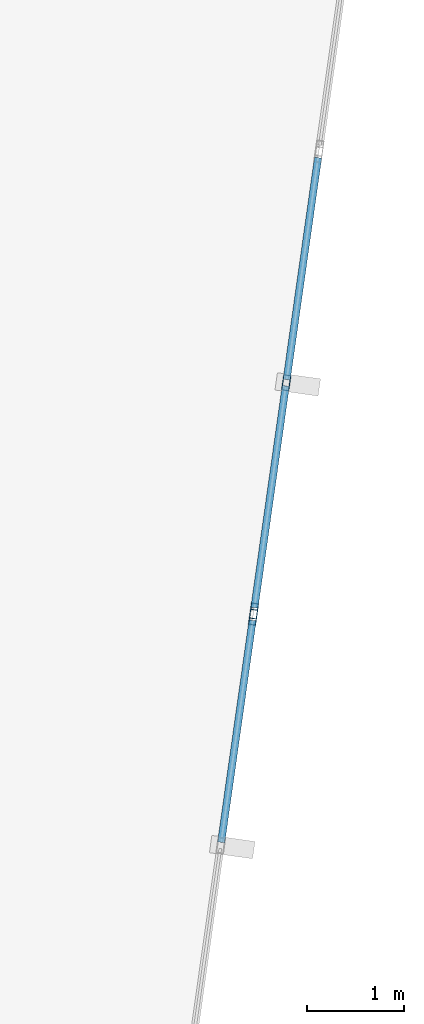
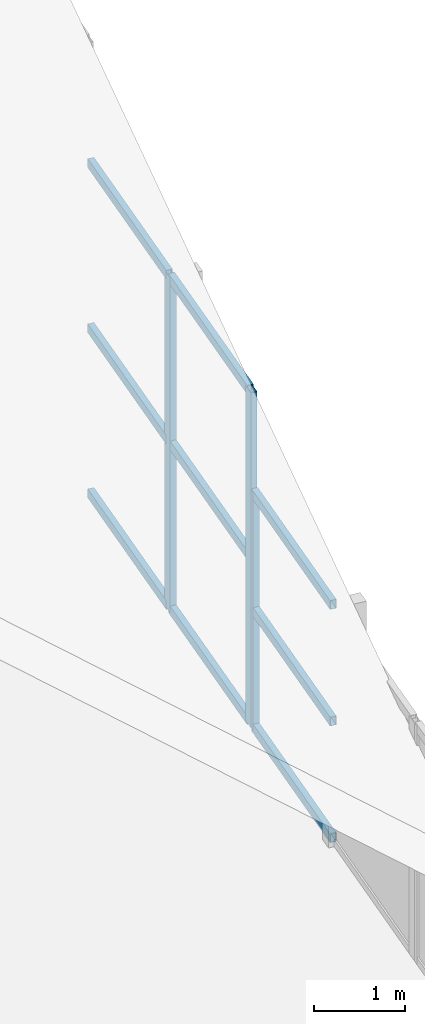
# One storey, part 21 of 74: 12 members, 2 elements without a shape of their own.
"""IFC4 building model written with IfcOpenShell, lengths in metres."""

from ifc_helpers import new_model, si_unit, direction, frame, origin, origin_2d, place, context, subcontext, project, spatial, hollow_rectangle, extrude, material, layer, layer_set, material_profile, profile_set, type_object, element, aggregate, save


model = new_model("IFC4")

# Units and contexts
model_context = context("Model", 3, precision=1e-05, world=origin(), true_north=direction((0.0, 1.0)))
body_context = subcontext(model_context, "Body", "Model", "MODEL_VIEW")
ifc_project = project(units=[si_unit("LENGTHUNIT", "METRE"), si_unit("AREAUNIT", "SQUARE_METRE"), si_unit("VOLUMEUNIT", "CUBIC_METRE"), si_unit("PLANEANGLEUNIT", "RADIAN"), si_unit("MASSUNIT", "GRAM", prefix="KILO")], contexts=[model_context])

# Site, building, storey
site_placement = place(None, origin())
site = spatial("IfcSite", under=ifc_project, at=site_placement, CompositionType="ELEMENT")
building_placement = place(site_placement, origin())
building = spatial("IfcBuilding", under=site, at=building_placement, Name="Keshet Zoharim Tower", CompositionType="ELEMENT")
storey_placement = place(building_placement, frame((0.0, 0.0, 320.0)))
storey = spatial("IfcBuildingStorey", under=building, at=storey_placement, Name="RF", CompositionType="ELEMENT", Elevation=320.0)

# Curtain wall, members
ifc_material = material(Name="Aluminium 6063-T6", Category="aluminium")
ifc_layer = layer(ifc_material, 0.260009765625)
ifc_layer_set = layer_set([ifc_layer], Name="Aluminium 6063-T6")
curtain_wall_type = type_object("IfcCurtainWallType", Name="CW-SYS-06", PredefinedType="NOTDEFINED", material=ifc_layer_set)
curtain_wall_1_placement = place(storey_placement, origin())
curtain_wall_1 = element("IfcCurtainWall", 1, at=curtain_wall_1_placement, inside=storey, type_object=curtain_wall_type, Name="Slanted Crown Curtain Wall 23", PredefinedType="NOTDEFINED")
ifc_material_profile_1 = material_profile(ifc_material, hollow_rectangle(XDim=0.074951171875, YDim=0.159912109375, WallThickness=0.00390625, at=origin_2d()), Name="MUL-75x160")
ifc_profile_set_1 = profile_set([ifc_material_profile_1], Name="Aluminium 6063-T6")
member_type_1 = type_object("IfcMemberType", Name="CWM-M15", PredefinedType="MULLION", material=ifc_profile_set_1)
member_1_placement = place(storey_placement, frame((43.93408203125, 20.364990234375, 0.0), z_axis=(0.0, 0.0, 1.0), x_axis=(0.990139244607, -0.140086674201, 0.0)))
member_1 = element("IfcMember", 2, at=member_1_placement, type_object=member_type_1, Name="CW-06 mullion 2", PredefinedType="MULLION", context=body_context, shape_type="SweptSolid", body=[
    extrude(hollow_rectangle(XDim=0.074951171875, YDim=0.159912109375, WallThickness=0.00390625, at=origin_2d()), origin(), (0.0, 0.0, 1.0), 4.5029296875),
])
member_2_placement = place(storey_placement, frame((43.6005859375, 18.00830078125, 0.0), z_axis=(0.0, 0.0, 1.0), x_axis=(0.990139244607, -0.140086674201, 0.0)))
member_2 = element("IfcMember", 3, at=member_2_placement, type_object=member_type_1, Name="CW-06 mullion 3", PredefinedType="MULLION", context=body_context, shape_type="SweptSolid", body=[
    extrude(hollow_rectangle(XDim=0.074951171875, YDim=0.159912109375, WallThickness=0.00390625, at=origin_2d()), origin(), (0.0, 0.0, 1.0), 4.5029296875),
])

# Curtain wall, member
curtain_wall_2_placement = place(storey_placement, origin())
curtain_wall_2 = element("IfcCurtainWall", 4, at=curtain_wall_2_placement, inside=storey, type_object=curtain_wall_type, Name="Slanted Crown Curtain Wall 24", PredefinedType="NOTDEFINED")
member_3_placement = place(storey_placement, frame((43.591552734375, 17.94384765625, 0.0), z_axis=(0.0, 0.0, 1.0), x_axis=(0.990110480863, -0.14028982745, 0.0)))
member_3 = element("IfcMember", 5, at=member_3_placement, type_object=member_type_1, Name="CW-06 mullion 1", PredefinedType="MULLION", context=body_context, shape_type="SweptSolid", body=[
    extrude(hollow_rectangle(XDim=0.074951171875, YDim=0.159912109375, WallThickness=0.00390625, at=origin_2d()), origin(), (0.0, 0.0, 1.0), 3.199951171875),
])

# Member
ifc_material_profile_2 = material_profile(ifc_material, hollow_rectangle(XDim=0.074951171875, YDim=0.1201171875, WallThickness=0.00390625, at=origin_2d()), Name="TRN-75x120")
ifc_profile_set_2 = profile_set([ifc_material_profile_2], Name="Aluminium 6063-T6")
member_type_2 = type_object("IfcMemberType", Name="CWT-T12", PredefinedType="USERDEFINED", material=ifc_profile_set_2)
member_4_placement = place(storey_placement, frame((44.262939453125, 22.689697265625, 0.032470703125), z_axis=(-0.14013691247, -0.990132135507, 0.0), x_axis=(0.990132135507, -0.14013691247, 0.0)))
member_4 = element("IfcMember", 6, at=member_4_placement, type_object=member_type_2, Name="CW-06 transom 1.1", ObjectType="TRANSOM", PredefinedType="USERDEFINED", context=body_context, shape_type="SweptSolid", body=[
    extrude(hollow_rectangle(XDim=0.074951171875, YDim=0.1201171875, WallThickness=0.00390625, at=origin_2d()), origin(), (0.0, 0.0, 1.0), 2.3154296875),
])

member_5_placement = place(storey_placement, frame((44.262939453125, 22.689697265625, 2.2509765625), z_axis=(-0.14013691247, -0.990132135507, 0.0), x_axis=(0.990132135507, -0.14013691247, 0.0)))
member_5 = element("IfcMember", 7, at=member_5_placement, type_object=member_type_2, Name="CW-06 transom 1.2", ObjectType="TRANSOM", PredefinedType="USERDEFINED", context=body_context, shape_type="SweptSolid", body=[
    extrude(hollow_rectangle(XDim=0.074951171875, YDim=0.1201171875, WallThickness=0.00390625, at=origin_2d()), origin(), (0.0, 0.0, 1.0), 2.3154296875),
])

member_6_placement = place(storey_placement, frame((44.262939453125, 22.689697265625, 4.470458984375), z_axis=(-0.14013691247, -0.990132135507, 0.0), x_axis=(0.990132135507, -0.14013691247, 0.0)))
member_6 = element("IfcMember", 8, at=member_6_placement, type_object=member_type_2, Name="CW-06 transom 1.3", ObjectType="TRANSOM", PredefinedType="USERDEFINED", context=body_context, shape_type="SweptSolid", body=[
    extrude(hollow_rectangle(XDim=0.074951171875, YDim=0.1201171875, WallThickness=0.00390625, at=origin_2d()), origin(), (0.0, 0.0, 1.0), 2.3154296875),
])

member_7_placement = place(storey_placement, frame((43.929443359375, 20.332763671875, 0.032470703125), z_axis=(-0.140033535571, -0.990146761301, 0.0), x_axis=(0.990146761301, -0.140033535571, 0.0)))
member_7 = element("IfcMember", 9, at=member_7_placement, type_object=member_type_2, Name="CW-06 transom 2.1", ObjectType="TRANSOM", PredefinedType="USERDEFINED", context=body_context, shape_type="SweptSolid", body=[
    extrude(hollow_rectangle(XDim=0.074951171875, YDim=0.1201171875, WallThickness=0.00390625, at=origin_2d()), origin(), (0.0, 0.0, 1.0), 2.315185546875),
])

member_8_placement = place(storey_placement, frame((43.929443359375, 20.332763671875, 2.2509765625), z_axis=(-0.140033535571, -0.990146761301, 0.0), x_axis=(0.990146761301, -0.140033535571, 0.0)))
member_8 = element("IfcMember", 10, at=member_8_placement, type_object=member_type_2, Name="CW-06 transom 2.2", ObjectType="TRANSOM", PredefinedType="USERDEFINED", context=body_context, shape_type="SweptSolid", body=[
    extrude(hollow_rectangle(XDim=0.074951171875, YDim=0.1201171875, WallThickness=0.00390625, at=origin_2d()), origin(), (0.0, 0.0, 1.0), 2.315185546875),
])

member_9_placement = place(storey_placement, frame((43.929443359375, 20.332763671875, 4.470458984375), z_axis=(-0.140033535571, -0.990146761301, 0.0), x_axis=(0.990146761301, -0.140033535571, 0.0)))
member_9 = element("IfcMember", 11, at=member_9_placement, type_object=member_type_2, Name="CW-06 transom 2.3", ObjectType="TRANSOM", PredefinedType="USERDEFINED", context=body_context, shape_type="SweptSolid", body=[
    extrude(hollow_rectangle(XDim=0.074951171875, YDim=0.1201171875, WallThickness=0.00390625, at=origin_2d()), origin(), (0.0, 0.0, 1.0), 2.315185546875),
])

aggregate(curtain_wall_1, [member_1, member_2, member_4, member_5, member_6, member_7, member_8, member_9])

member_10_placement = place(storey_placement, frame((43.5869140625, 17.91162109375, 0.032470703125), z_axis=(-0.140343652516, -0.990102852838, 0.0), x_axis=(0.990102852838, -0.140343652516, 0.0)))
member_10 = element("IfcMember", 12, at=member_10_placement, type_object=member_type_2, Name="CW-06 transom 1.1", ObjectType="TRANSOM", PredefinedType="USERDEFINED", context=body_context, shape_type="SweptSolid", body=[
    extrude(hollow_rectangle(XDim=0.074951171875, YDim=0.1201171875, WallThickness=0.00390625, at=origin_2d()), origin(), (0.0, 0.0, 1.0), 2.3154296875),
])

member_11_placement = place(storey_placement, frame((43.5869140625, 17.91162109375, 1.60009765625), z_axis=(-0.140343652516, -0.990102852838, 0.0), x_axis=(0.990102852838, -0.140343652516, 0.0)))
member_11 = element("IfcMember", 13, at=member_11_placement, type_object=member_type_2, Name="CW-06 transom 1.2", ObjectType="TRANSOM", PredefinedType="USERDEFINED", context=body_context, shape_type="SweptSolid", body=[
    extrude(hollow_rectangle(XDim=0.074951171875, YDim=0.1201171875, WallThickness=0.00390625, at=origin_2d()), origin(), (0.0, 0.0, 1.0), 2.3154296875),
])

member_12_placement = place(storey_placement, frame((43.5869140625, 17.91162109375, 3.16748046875), z_axis=(-0.140343652516, -0.990102852838, 0.0), x_axis=(0.990102852838, -0.140343652516, 0.0)))
member_12 = element("IfcMember", 14, at=member_12_placement, type_object=member_type_2, Name="CW-06 transom 1.3", ObjectType="TRANSOM", PredefinedType="USERDEFINED", context=body_context, shape_type="SweptSolid", body=[
    extrude(hollow_rectangle(XDim=0.074951171875, YDim=0.1201171875, WallThickness=0.00390625, at=origin_2d()), origin(), (0.0, 0.0, 1.0), 2.3154296875),
])

aggregate(curtain_wall_2, [member_3, member_10, member_11, member_12])

save(model, "model.ifc")
